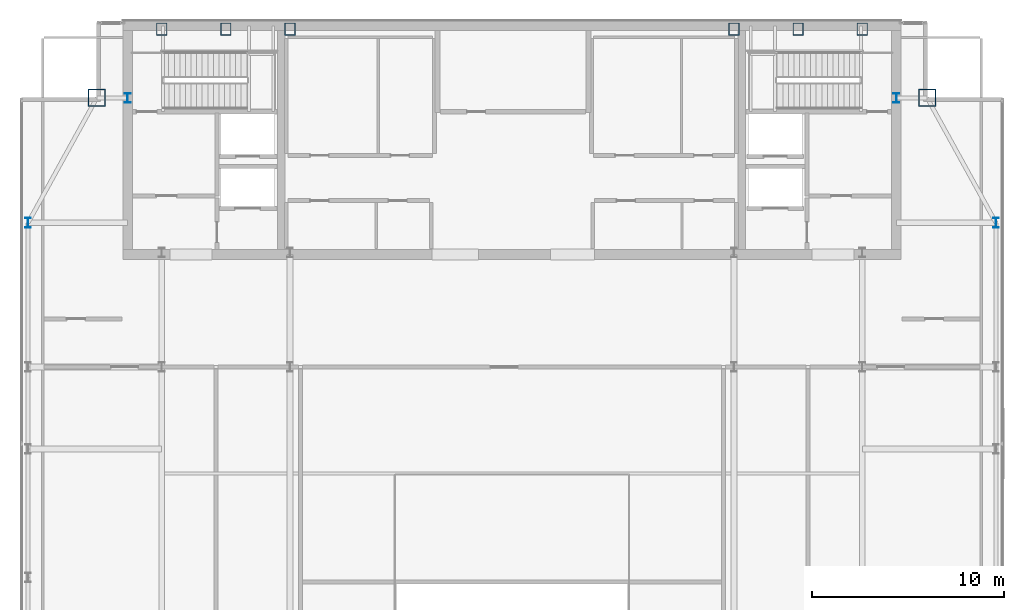
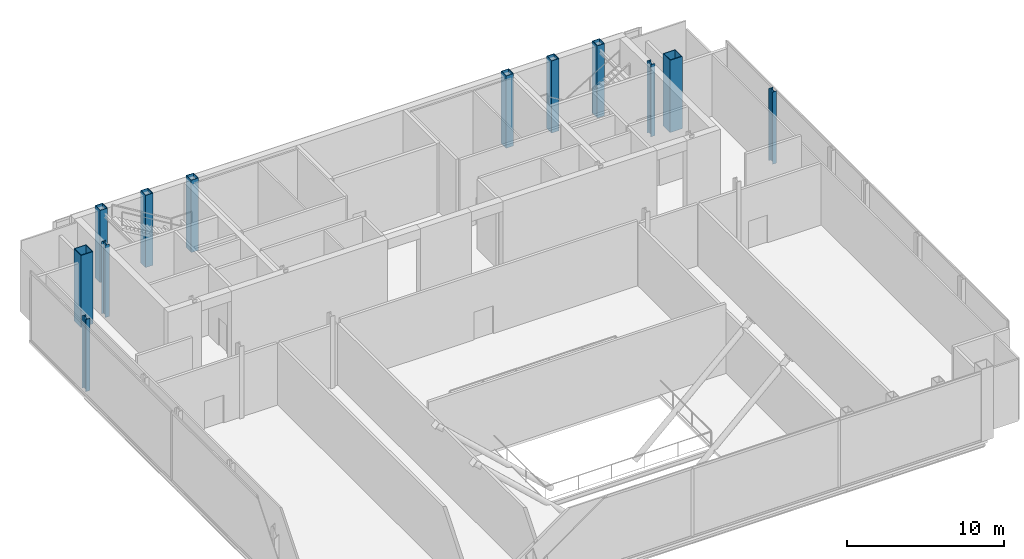
# One storey, part 3 of 23: 12 columns.
"""IFC4 building model written with IfcOpenShell, lengths in metres."""

from ifc_helpers import new_model, si_unit, direction, frame, origin, origin_2d, place, context, subcontext, project, spatial, hollow_rectangle, i_section, extrude, material, material_profile, profile_set, type_object, element, save


model = new_model("IFC4")

# Units and contexts
model_context = context("Model", 3, precision=1e-05, world=origin(), true_north=direction((0.0, 1.0)))
body_context = subcontext(model_context, "Body", "Model", "MODEL_VIEW")
ifc_project = project(units=[si_unit("LENGTHUNIT", "METRE"), si_unit("AREAUNIT", "SQUARE_METRE"), si_unit("VOLUMEUNIT", "CUBIC_METRE"), si_unit("PLANEANGLEUNIT", "RADIAN"), si_unit("MASSUNIT", "GRAM", prefix="KILO")], contexts=[model_context])

# Site, building, storey
site_placement = place(None, origin())
site = spatial("IfcSite", under=ifc_project, at=site_placement, CompositionType="ELEMENT")
building_placement = place(site_placement, origin())
building = spatial("IfcBuilding", under=site, at=building_placement, Name="Khoronbel Lancet Exchange", CompositionType="ELEMENT")
storey_placement = place(building_placement, frame((0.0, 0.0, 356.199951171875)))
storey = spatial("IfcBuildingStorey", under=building, at=storey_placement, Name="L92", CompositionType="ELEMENT", Elevation=356.199951171875)

# Columns
ifc_material_1 = material(Name="Steel S355", Category="steel")
ifc_material_profile_1 = material_profile(ifc_material_1, i_section(OverallWidth=0.300048828125, OverallDepth=0.5, WebThickness=0.014404296875, FlangeThickness=0.028076171875, at=origin_2d()), Name="HEB 500")
ifc_profile_set_1 = profile_set([ifc_material_profile_1], Name="Steel S355")
column_type_1 = type_object("IfcColumnType", Name="COL-CRC1", PredefinedType="COLUMN", material=ifc_profile_set_1)
for number, where, z_axis, x_axis, name in (
    (1, (11.27001953125, 43.199951171875, 0.0), (0.0, 0.0, 1.0), (1.0, 0.0, 0.0), "CROWN FRAME column WC-4 L92"),
    (2, (61.6298828125, 43.199951171875, 0.0), (0.0, 0.0, 1.0), (1.0, 0.0, 0.0), "CROWN FRAME column EC-4 L92"),
    (3, (16.449951171875, 49.699951171875, 0.0), (0.0, 0.0, 1.0), (1.0, 0.0, 0.0), "Core-flank plumb transfer column CFW L92"),
    (4, (56.449951171875, 49.699951171875, 0.0), (0.0, 0.0, 1.0), (1.0, 0.0, 0.0), "Core-flank plumb transfer column CFE L92"),
):
    element("IfcColumn", number, at=place(storey_placement, frame(where, z_axis=z_axis, x_axis=x_axis)), inside=storey, type_object=column_type_1, Name=name, PredefinedType="COLUMN", context=body_context, shape_type="SweptSolid", body=[
        extrude(i_section(OverallWidth=0.300048828125, OverallDepth=0.5, WebThickness=0.014404296875, FlangeThickness=0.028076171875, at=origin_2d()), origin(), (0.0, 0.0, 1.0), 5.60009765625),
    ])
ifc_material_2 = material(Name="Steel S460", Category="steel")
ifc_material_profile_2 = material_profile(ifc_material_2, hollow_rectangle(XDim=0.550048828125, YDim=0.64990234375, WallThickness=0.0400390625, at=origin_2d()), Name="BOX 650x550x40")
ifc_profile_set_2 = profile_set([ifc_material_profile_2], Name="Steel S460")
column_type_2 = type_object("IfcColumnType", Name="COL-EC4", PredefinedType="COLUMN", material=ifc_profile_set_2)
for number, where, z_axis, x_axis, name in (
    (5, (18.22509765625, 53.280029296875, 0.0), (0.0, 0.0, 1.0), (1.0, 0.0, 0.0), "CROWN FRAME column NC-W1 L92"),
    (6, (21.5625, 53.280029296875, 0.0), (0.0, 0.0, 1.0), (1.0, 0.0, 0.0), "CROWN FRAME column NC-WM L92"),
    (7, (24.89990234375, 53.280029296875, 0.0), (0.0, 0.0, 1.0), (1.0, 0.0, 0.0), "CROWN FRAME column NC-W2 L92"),
    (8, (48.0, 53.280029296875, 0.0), (0.0, 0.0, 1.0), (1.0, 0.0, 0.0), "CROWN FRAME column NC-E1 L92"),
    (9, (51.33740234375, 53.280029296875, 0.0), (0.0, 0.0, 1.0), (1.0, 0.0, 0.0), "CROWN FRAME column NC-EM L92"),
    (10, (54.675048828125, 53.280029296875, 0.0), (0.0, 0.0, 1.0), (1.0, 0.0, 0.0), "CROWN FRAME column NC-E2 L92"),
):
    element("IfcColumn", number, at=place(storey_placement, frame(where, z_axis=z_axis, x_axis=x_axis)), inside=storey, type_object=column_type_2, Name=name, PredefinedType="COLUMN", context=body_context, shape_type="SweptSolid", body=[
        extrude(hollow_rectangle(XDim=0.550048828125, YDim=0.64990234375, WallThickness=0.0400390625, at=origin_2d()), origin(), (0.0, 0.0, 1.0), 5.60009765625),
    ])
ifc_material_profile_3 = material_profile(ifc_material_2, hollow_rectangle(XDim=0.89990234375, YDim=0.89990234375, WallThickness=0.050048828125, at=origin_2d()), Name="BOX 900x900x50")
ifc_profile_set_3 = profile_set([ifc_material_profile_3], Name="Steel S460")
column_type_3 = type_object("IfcColumnType", Name="COL-MC7", PredefinedType="COLUMN", material=ifc_profile_set_3)
for number, where, z_axis, x_axis, name in (
    (11, (58.050048828125, 49.699951171875, 0.0), (0.0, 0.0, 1.0), (1.0, 0.0, 0.0), "CROWN FRAME column MC-NE L92"),
    (12, (14.85009765625, 49.699951171875, 0.0), (0.0, 0.0, 1.0), (1.0, 0.0, 0.0), "CROWN FRAME column MC-NW L92"),
):
    element("IfcColumn", number, at=place(storey_placement, frame(where, z_axis=z_axis, x_axis=x_axis)), inside=storey, type_object=column_type_3, Name=name, PredefinedType="COLUMN", context=body_context, shape_type="SweptSolid", body=[
        extrude(hollow_rectangle(XDim=0.89990234375, YDim=0.89990234375, WallThickness=0.050048828125, at=origin_2d()), origin(), (0.0, 0.0, 1.0), 5.60009765625),
    ])

save(model, "model.ifc")
